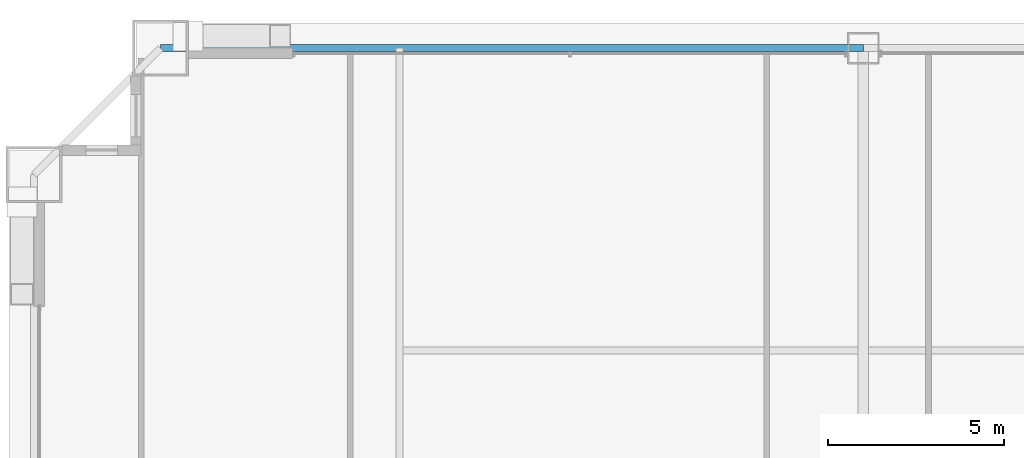
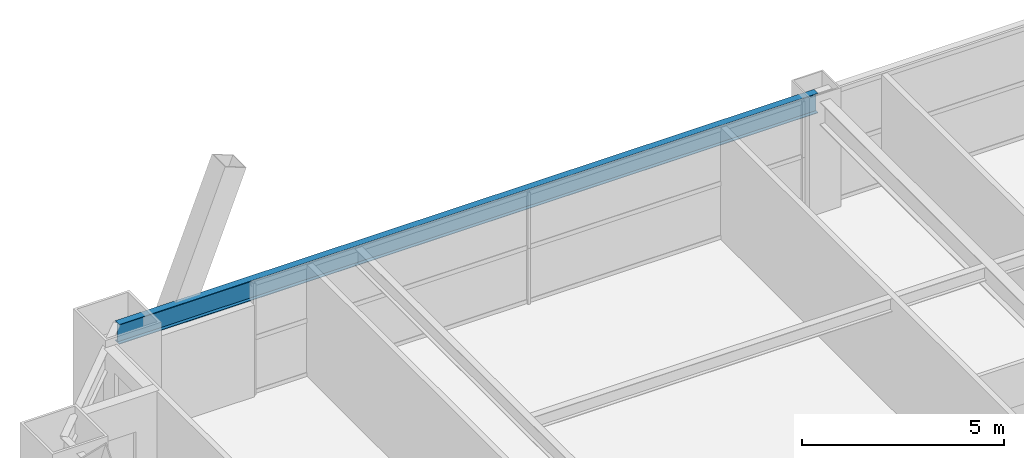
# One storey, part 26 of 41: 1 beam.
"""IFC4 building model written with IfcOpenShell, lengths in metres."""

from ifc_helpers import new_model, si_unit, direction, frame, origin, origin_2d, place, context, subcontext, project, spatial, i_section, extrude, source, transform, mapped, material, material_profile, profile_set, type_object, element, save


model = new_model("IFC4")

# Units and contexts
model_context = context("Model", 3, precision=1e-05, world=origin(), true_north=direction((0.0, 1.0)))
body_context = subcontext(model_context, "Body", "Model", "MODEL_VIEW")
ifc_project = project(units=[si_unit("LENGTHUNIT", "METRE"), si_unit("AREAUNIT", "SQUARE_METRE"), si_unit("VOLUMEUNIT", "CUBIC_METRE"), si_unit("PLANEANGLEUNIT", "RADIAN"), si_unit("MASSUNIT", "GRAM", prefix="KILO"), si_unit("THERMODYNAMICTEMPERATUREUNIT", "KELVIN"), si_unit("POWERUNIT", "WATT")], contexts=[model_context])

# Site, building, storey
site_placement = place(None, origin())
site = spatial("IfcSite", under=ifc_project, at=site_placement, CompositionType="ELEMENT")
building_placement = place(site_placement, origin())
building = spatial("IfcBuilding", under=site, at=building_placement, Name="Yuzanri Waterfront Tower", CompositionType="ELEMENT")
storey_placement = place(building_placement, frame((0.0, 0.0, 122.60009765625)))
storey = spatial("IfcBuildingStorey", under=building, at=storey_placement, Name="L32", CompositionType="ELEMENT", Elevation=122.60009765625)

# Beam
ifc_material = material(Name="Steel Q355B", Category="steel")
ifc_material_profile = material_profile(ifc_material, i_section(OverallWidth=0.199951171875, OverallDepth=0.60009765625, WebThickness=0.010986328125, FlangeThickness=0.01708984375, at=origin_2d()), Name="HN 600x200x11x17")
ifc_profile_set = profile_set([ifc_material_profile], Name="Steel Q355B")
beam_type = type_object("IfcBeamType", Name="Perimeter Spandrel Q355B HN 600x200", PredefinedType="SPANDREL", material=ifc_profile_set)
shared_shape = source(origin(), body_context, "Body", "SweptSolid", [
    extrude(i_section(OverallWidth=0.199951171875, OverallDepth=0.60009765625, WebThickness=0.010986328125, FlangeThickness=0.01708984375, at=origin_2d()), origin(), (0.0, 0.0, 1.0), 20.0),
])
beam_placement = place(storey_placement, frame((37.0, 49.39990234375, 3.079833984375), z_axis=(-1.0, 0.0, 0.0), x_axis=(0.0, -1.0, 0.0)))
element("IfcBeam", 1, at=beam_placement, inside=storey, type_object=beam_type, Name="L32 Perimeter Spandrel N2-N1", PredefinedType="SPANDREL", context=body_context, shape_type="MappedRepresentation", body=[
    mapped(shared_shape, transform((0.0, 0.0, 0.0), scale=1.0)),
])

save(model, "model.ifc")
